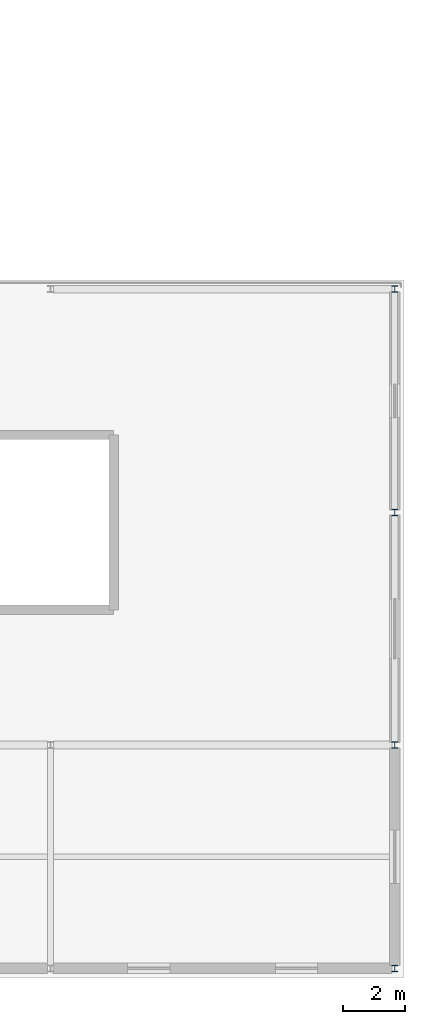
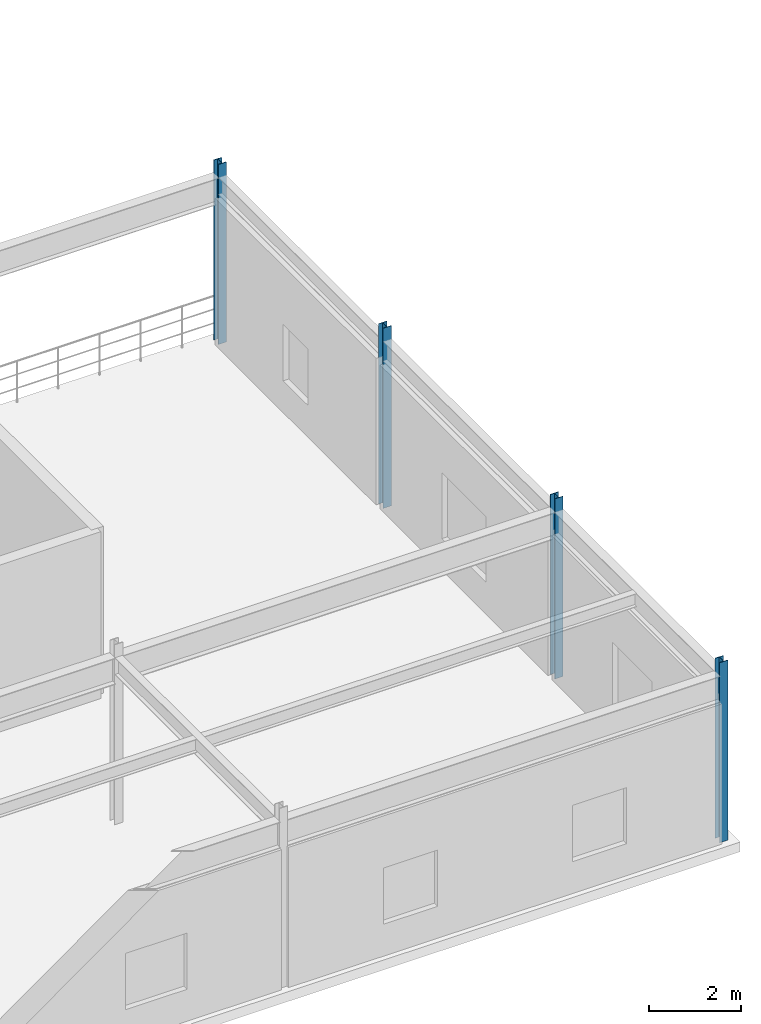
# One storey, part 23 of 144: 4 columns.
"""IFC4 building model written with IfcOpenShell, lengths in metres."""

from ifc_helpers import new_model, si_unit, direction, frame, origin, origin_2d, place, context, subcontext, project, spatial, i_section, extrude, material, material_profile, profile_set, type_object, element, save


model = new_model("IFC4")

# Units and contexts
model_context = context("Model", 3, precision=1e-05, world=origin(), true_north=direction((0.0, 1.0)))
body_context = subcontext(model_context, "Body", "Model", "MODEL_VIEW")
ifc_project = project(units=[si_unit("LENGTHUNIT", "METRE"), si_unit("AREAUNIT", "SQUARE_METRE"), si_unit("VOLUMEUNIT", "CUBIC_METRE"), si_unit("PLANEANGLEUNIT", "RADIAN"), si_unit("MASSUNIT", "GRAM", prefix="KILO")], contexts=[model_context])

# Site, building, storey
site_placement = place(None, origin())
site = spatial("IfcSite", under=ifc_project, at=site_placement, CompositionType="ELEMENT")
building_placement = place(site_placement, origin())
building = spatial("IfcBuilding", under=site, at=building_placement, Name="Cinderbank Siding Concert Hall", CompositionType="ELEMENT")
storey_placement = place(building_placement, frame((0.0, 0.0, 5.39990234375)))
storey = spatial("IfcBuildingStorey", under=building, at=storey_placement, Name="L02", CompositionType="ELEMENT", Elevation=5.39990234375)

# Columns
ifc_material = material(Name="Structural steel AS/NZS 3679.1 Grade 350 (340 MPa)", Category="steel")
ifc_material_profile = material_profile(ifc_material, i_section(OverallWidth=0.205078125, OverallDepth=0.209716796875, WebThickness=0.00927734375, FlangeThickness=0.01416015625, at=origin_2d()), Name="200UC59.5", Category="LoadBearing")
ifc_profile_set = profile_set([ifc_material_profile], Name="Structural steel AS/NZS 3679.1 Grade 350 (340 MPa)")
column_type = type_object("IfcColumnType", Name="C-UC200 200UC59.5", PredefinedType="COLUMN", material=ifc_profile_set)
for number, where, z_axis, x_axis, name in (
    (1, (172.89990234375, 6.10009765625, 0.0), (0.0, 0.0, 1.0), (1.0, 0.0, 0.0), "L02 Column COL-SE-4-1"),
    (2, (172.89990234375, 13.300048828125, 0.0), (0.0, 0.0, 1.0), (1.0, 0.0, 0.0), "L02 Column COL-SE-4-2"),
    (3, (172.89990234375, 20.800048828125, 0.0), (0.0, 0.0, 1.0), (1.0, 0.0, 0.0), "L02 Column COL-SE-4-3"),
    (4, (172.89990234375, 28.0, 0.0), (0.0, 0.0, 1.0), (1.0, 0.0, 0.0), "L02 Column COL-SE-4-4"),
):
    element("IfcColumn", number, at=place(storey_placement, frame(where, z_axis=z_axis, x_axis=x_axis)), inside=storey, type_object=column_type, Name=name, PredefinedType="COLUMN", context=body_context, shape_type="SweptSolid", body=[
        extrude(i_section(OverallWidth=0.205078125, OverallDepth=0.209716796875, WebThickness=0.00927734375, FlangeThickness=0.01416015625, at=origin_2d()), origin(), (0.0, 0.0, 1.0), 4.800048828125),
    ])

save(model, "model.ifc")
